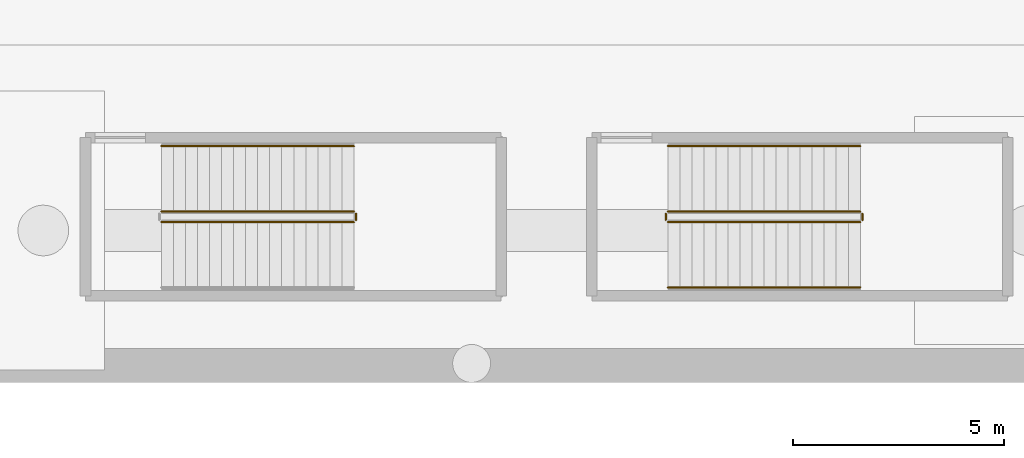
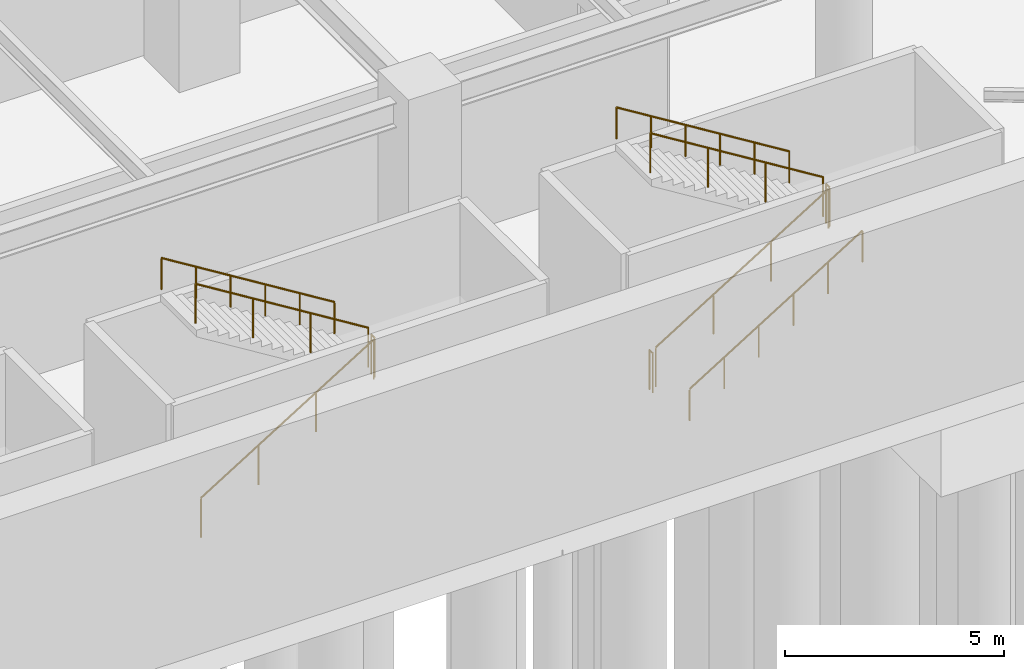
# One storey, part 32 of 37: 10 railings.
"""IFC4 building model written with IfcOpenShell, lengths in metres."""

from ifc_helpers import new_model, si_unit, direction, frame, origin, origin_2d, place, context, subcontext, project, spatial, circle, extrude, material, type_object, element, save


model = new_model("IFC4")

# Units and contexts
model_context = context("Model", 3, precision=1e-05, world=origin(), true_north=direction((0.0, 1.0)))
body_context = subcontext(model_context, "Body", "Model", "MODEL_VIEW")
ifc_project = project(units=[si_unit("LENGTHUNIT", "METRE"), si_unit("AREAUNIT", "SQUARE_METRE"), si_unit("VOLUMEUNIT", "CUBIC_METRE"), si_unit("PLANEANGLEUNIT", "RADIAN"), si_unit("MASSUNIT", "GRAM", prefix="KILO")], contexts=[model_context])

# Site, building, storey
site_placement = place(None, origin())
site = spatial("IfcSite", under=ifc_project, at=site_placement, CompositionType="ELEMENT")
building_placement = place(site_placement, origin())
building = spatial("IfcBuilding", under=site, at=building_placement, Name="Narakoshi Arena Tower", CompositionType="ELEMENT")
storey_placement = place(building_placement, frame((0.0, 0.0, -6.0)))
storey = spatial("IfcBuildingStorey", under=building, at=storey_placement, Name="B01", CompositionType="ELEMENT", Elevation=-6.0)

# Railings
ifc_material_1 = material(Name="Clear low-iron laminated structural glass", Category="glass")
railing_type_1 = type_object("IfcRailingType", Name="RL-BAL-1100", PredefinedType="BALUSTRADE", material=ifc_material_1)
railing_1_placement = place(storey_placement, frame((30.64990234375, 3.800048828125, 0.176513671875)))
element("IfcRailing", 1, at=railing_1_placement, inside=storey, type_object=railing_type_1, Name="B01 AST3 stair guard 1", PredefinedType="BALUSTRADE", context=body_context, shape_type="SweptSolid", body=[
    extrude(circle(Radius=0.02392578125, at=origin_2d()), frame((0.0, 0.0, 1.09619140625), z_axis=(0.850215668316, 0.0, 0.526434532824), x_axis=(0.0, 1.0, 0.0)), (0.0, 0.0, 1.0), 5.363525390625),
    extrude(circle(Radius=0.02099609375, at=origin_2d()), origin(), (0.0, 0.0, 1.0), 1.072021484375),
    extrude(circle(Radius=0.02099609375, at=origin_2d()), frame((1.52001953125, 0.0, 0.941162109375)), (0.0, 0.0, 1.0), 1.072021484375),
    extrude(circle(Radius=0.02099609375, at=origin_2d()), frame((3.0400390625, 0.0, 1.88232421875)), (0.0, 0.0, 1.0), 1.072021484375),
    extrude(circle(Radius=0.02099609375, at=origin_2d()), frame((4.56005859375, 0.0, 2.823486328125)), (0.0, 0.0, 1.0), 1.072021484375),
])
railing_2_placement = place(storey_placement, frame((35.260009765625, 3.85009765625, 3.0)))
element("IfcRailing", 2, at=railing_2_placement, inside=storey, type_object=railing_type_1, Name="B01 AST3 stair guard 2", PredefinedType="BALUSTRADE", context=body_context, shape_type="SweptSolid", body=[
    extrude(circle(Radius=0.02392578125, at=origin_2d()), frame((0.0, 0.0, 1.09619140625), z_axis=(0.0, 1.0, 0.0), x_axis=(-1.0, 0.0, 0.0)), (0.0, 0.0, 1.0), 0.14990234375),
    extrude(circle(Radius=0.02099609375, at=origin_2d()), origin(), (0.0, 0.0, 1.0), 1.072021484375),
    extrude(circle(Radius=0.02099609375, at=origin_2d()), frame((0.0, 0.14990234375, 0.0)), (0.0, 0.0, 1.0), 1.072021484375),
])
railing_3_placement = place(storey_placement, frame((35.2099609375, 4.050048828125, 3.176513671875)))
element("IfcRailing", 3, at=railing_3_placement, inside=storey, type_object=railing_type_1, Name="B01 AST3 stair guard 3", PredefinedType="BALUSTRADE", context=body_context, shape_type="SweptSolid", body=[
    extrude(circle(Radius=0.02392578125, at=origin_2d()), frame((0.0, 0.0, 1.09619140625), z_axis=(-0.850215668316, 0.0, 0.526434532824), x_axis=(0.0, -1.0, 0.0)), (0.0, 0.0, 1.0), 5.363525390625),
    extrude(circle(Radius=0.02099609375, at=origin_2d()), origin(), (0.0, 0.0, 1.0), 1.072021484375),
    extrude(circle(Radius=0.02099609375, at=origin_2d()), frame((-1.52001953125, 0.0, 0.941162109375)), (0.0, 0.0, 1.0), 1.072021484375),
    extrude(circle(Radius=0.02099609375, at=origin_2d()), frame((-3.0400390625, 0.0, 1.88232421875)), (0.0, 0.0, 1.0), 1.072021484375),
    extrude(circle(Radius=0.02099609375, at=origin_2d()), frame((-4.56005859375, 0.0, 2.823486328125)), (0.0, 0.0, 1.0), 1.072021484375),
])
railing_4_placement = place(storey_placement, frame((42.64990234375, 3.800048828125, 0.176513671875)))
element("IfcRailing", 4, at=railing_4_placement, inside=storey, type_object=railing_type_1, Name="B01 AST4 stair guard 1", PredefinedType="BALUSTRADE", context=body_context, shape_type="SweptSolid", body=[
    extrude(circle(Radius=0.02392578125, at=origin_2d()), frame((0.0, 0.0, 1.09619140625), z_axis=(0.850215668316, 0.0, 0.526434532824), x_axis=(0.0, 1.0, 0.0)), (0.0, 0.0, 1.0), 5.363525390625),
    extrude(circle(Radius=0.02099609375, at=origin_2d()), origin(), (0.0, 0.0, 1.0), 1.072021484375),
    extrude(circle(Radius=0.02099609375, at=origin_2d()), frame((1.52001953125, 0.0, 0.941162109375)), (0.0, 0.0, 1.0), 1.072021484375),
    extrude(circle(Radius=0.02099609375, at=origin_2d()), frame((3.0400390625, 0.0, 1.88232421875)), (0.0, 0.0, 1.0), 1.072021484375),
    extrude(circle(Radius=0.02099609375, at=origin_2d()), frame((4.56005859375, 0.0, 2.823486328125)), (0.0, 0.0, 1.0), 1.072021484375),
])
railing_5_placement = place(storey_placement, frame((47.260009765625, 3.85009765625, 3.0)))
element("IfcRailing", 5, at=railing_5_placement, inside=storey, type_object=railing_type_1, Name="B01 AST4 stair guard 2", PredefinedType="BALUSTRADE", context=body_context, shape_type="SweptSolid", body=[
    extrude(circle(Radius=0.02392578125, at=origin_2d()), frame((0.0, 0.0, 1.09619140625), z_axis=(0.0, 1.0, 0.0), x_axis=(-1.0, 0.0, 0.0)), (0.0, 0.0, 1.0), 0.14990234375),
    extrude(circle(Radius=0.02099609375, at=origin_2d()), origin(), (0.0, 0.0, 1.0), 1.072021484375),
    extrude(circle(Radius=0.02099609375, at=origin_2d()), frame((0.0, 0.14990234375, 0.0)), (0.0, 0.0, 1.0), 1.072021484375),
])
railing_6_placement = place(storey_placement, frame((47.2099609375, 4.050048828125, 3.176513671875)))
element("IfcRailing", 6, at=railing_6_placement, inside=storey, type_object=railing_type_1, Name="B01 AST4 stair guard 3", PredefinedType="BALUSTRADE", context=body_context, shape_type="SweptSolid", body=[
    extrude(circle(Radius=0.02392578125, at=origin_2d()), frame((0.0, 0.0, 1.09619140625), z_axis=(-0.850215668316, 0.0, 0.526434532824), x_axis=(0.0, -1.0, 0.0)), (0.0, 0.0, 1.0), 5.363525390625),
    extrude(circle(Radius=0.02099609375, at=origin_2d()), origin(), (0.0, 0.0, 1.0), 1.072021484375),
    extrude(circle(Radius=0.02099609375, at=origin_2d()), frame((-1.52001953125, 0.0, 0.941162109375)), (0.0, 0.0, 1.0), 1.072021484375),
    extrude(circle(Radius=0.02099609375, at=origin_2d()), frame((-3.0400390625, 0.0, 1.88232421875)), (0.0, 0.0, 1.0), 1.072021484375),
    extrude(circle(Radius=0.02099609375, at=origin_2d()), frame((-4.56005859375, 0.0, 2.823486328125)), (0.0, 0.0, 1.0), 1.072021484375),
])
railing_7_placement = place(storey_placement, frame((42.60009765625, 3.85009765625, 0.0)))
element("IfcRailing", 7, at=railing_7_placement, inside=storey, type_object=railing_type_1, Name="B01 AST4 stair guard 4", PredefinedType="BALUSTRADE", context=body_context, shape_type="SweptSolid", body=[
    extrude(circle(Radius=0.02392578125, at=origin_2d()), frame((0.0, 0.0, 1.09619140625), z_axis=(0.0, 1.0, 0.0), x_axis=(-1.0, 0.0, 0.0)), (0.0, 0.0, 1.0), 0.14990234375),
    extrude(circle(Radius=0.02099609375, at=origin_2d()), origin(), (0.0, 0.0, 1.0), 1.072021484375),
    extrude(circle(Radius=0.02099609375, at=origin_2d()), frame((0.0, 0.14990234375, 0.0)), (0.0, 0.0, 1.0), 1.072021484375),
])
ifc_material_2 = material(Name="Brushed bronze stainless steel", Category="steel")
railing_type_2 = type_object("IfcRailingType", Name="RL-HND-900", PredefinedType="HANDRAIL", material=ifc_material_2)
railing_8_placement = place(storey_placement, frame((35.2099609375, 5.60009765625, 3.176513671875)))
element("IfcRailing", 8, at=railing_8_placement, inside=storey, type_object=railing_type_2, Name="B01 AST3 stair handrail 2", PredefinedType="HANDRAIL", context=body_context, shape_type="SweptSolid", body=[
    extrude(circle(Radius=0.02392578125, at=origin_2d()), frame((0.0, 0.0, 0.8759765625), z_axis=(-0.850215668316, 0.0, 0.526434532824), x_axis=(0.0, -1.0, 0.0)), (0.0, 0.0, 1.0), 5.363525390625),
    extrude(circle(Radius=0.02099609375, at=origin_2d()), origin(), (0.0, 0.0, 1.0), 0.851806640625),
    extrude(circle(Radius=0.02099609375, at=origin_2d()), frame((-0.912109375, 0.0, 0.564697265625)), (0.0, 0.0, 1.0), 0.851806640625),
    extrude(circle(Radius=0.02099609375, at=origin_2d()), frame((-1.823974609375, 0.0, 1.12939453125)), (0.0, 0.0, 1.0), 0.851806640625),
    extrude(circle(Radius=0.02099609375, at=origin_2d()), frame((-2.736083984375, 0.0, 1.694091796875)), (0.0, 0.0, 1.0), 0.851806640625),
    extrude(circle(Radius=0.02099609375, at=origin_2d()), frame((-3.64794921875, 0.0, 2.2587890625)), (0.0, 0.0, 1.0), 0.851806640625),
    extrude(circle(Radius=0.02099609375, at=origin_2d()), frame((-4.56005859375, 0.0, 2.823486328125)), (0.0, 0.0, 1.0), 0.851806640625),
])
railing_9_placement = place(storey_placement, frame((42.64990234375, 2.25, 0.176513671875)))
element("IfcRailing", 9, at=railing_9_placement, inside=storey, type_object=railing_type_2, Name="B01 AST4 stair handrail 1", PredefinedType="HANDRAIL", context=body_context, shape_type="SweptSolid", body=[
    extrude(circle(Radius=0.02392578125, at=origin_2d()), frame((0.0, 0.0, 0.8759765625), z_axis=(0.850215668316, 0.0, 0.526434532824), x_axis=(0.0, 1.0, 0.0)), (0.0, 0.0, 1.0), 5.363525390625),
    extrude(circle(Radius=0.02099609375, at=origin_2d()), origin(), (0.0, 0.0, 1.0), 0.851806640625),
    extrude(circle(Radius=0.02099609375, at=origin_2d()), frame((0.912109375, 0.0, 0.564697265625)), (0.0, 0.0, 1.0), 0.851806640625),
    extrude(circle(Radius=0.02099609375, at=origin_2d()), frame((1.823974609375, 0.0, 1.12939453125)), (0.0, 0.0, 1.0), 0.851806640625),
    extrude(circle(Radius=0.02099609375, at=origin_2d()), frame((2.736083984375, 0.0, 1.694091796875)), (0.0, 0.0, 1.0), 0.851806640625),
    extrude(circle(Radius=0.02099609375, at=origin_2d()), frame((3.64794921875, 0.0, 2.2587890625)), (0.0, 0.0, 1.0), 0.851806640625),
    extrude(circle(Radius=0.02099609375, at=origin_2d()), frame((4.56005859375, 0.0, 2.823486328125)), (0.0, 0.0, 1.0), 0.851806640625),
])
railing_10_placement = place(storey_placement, frame((47.2099609375, 5.60009765625, 3.176513671875)))
element("IfcRailing", 10, at=railing_10_placement, inside=storey, type_object=railing_type_2, Name="B01 AST4 stair handrail 2", PredefinedType="HANDRAIL", context=body_context, shape_type="SweptSolid", body=[
    extrude(circle(Radius=0.02392578125, at=origin_2d()), frame((0.0, 0.0, 0.8759765625), z_axis=(-0.850215668316, 0.0, 0.526434532824), x_axis=(0.0, -1.0, 0.0)), (0.0, 0.0, 1.0), 5.363525390625),
    extrude(circle(Radius=0.02099609375, at=origin_2d()), origin(), (0.0, 0.0, 1.0), 0.851806640625),
    extrude(circle(Radius=0.02099609375, at=origin_2d()), frame((-0.912109375, 0.0, 0.564697265625)), (0.0, 0.0, 1.0), 0.851806640625),
    extrude(circle(Radius=0.02099609375, at=origin_2d()), frame((-1.823974609375, 0.0, 1.12939453125)), (0.0, 0.0, 1.0), 0.851806640625),
    extrude(circle(Radius=0.02099609375, at=origin_2d()), frame((-2.736083984375, 0.0, 1.694091796875)), (0.0, 0.0, 1.0), 0.851806640625),
    extrude(circle(Radius=0.02099609375, at=origin_2d()), frame((-3.64794921875, 0.0, 2.2587890625)), (0.0, 0.0, 1.0), 0.851806640625),
    extrude(circle(Radius=0.02099609375, at=origin_2d()), frame((-4.56005859375, 0.0, 2.823486328125)), (0.0, 0.0, 1.0), 0.851806640625),
])

save(model, "model.ifc")
